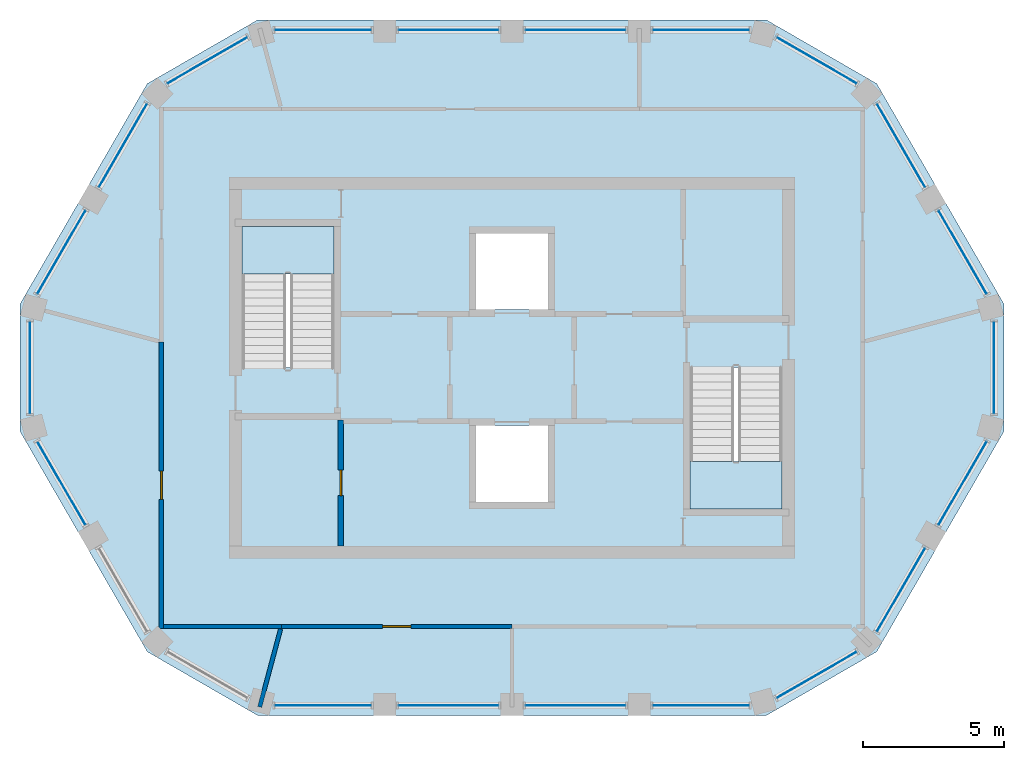
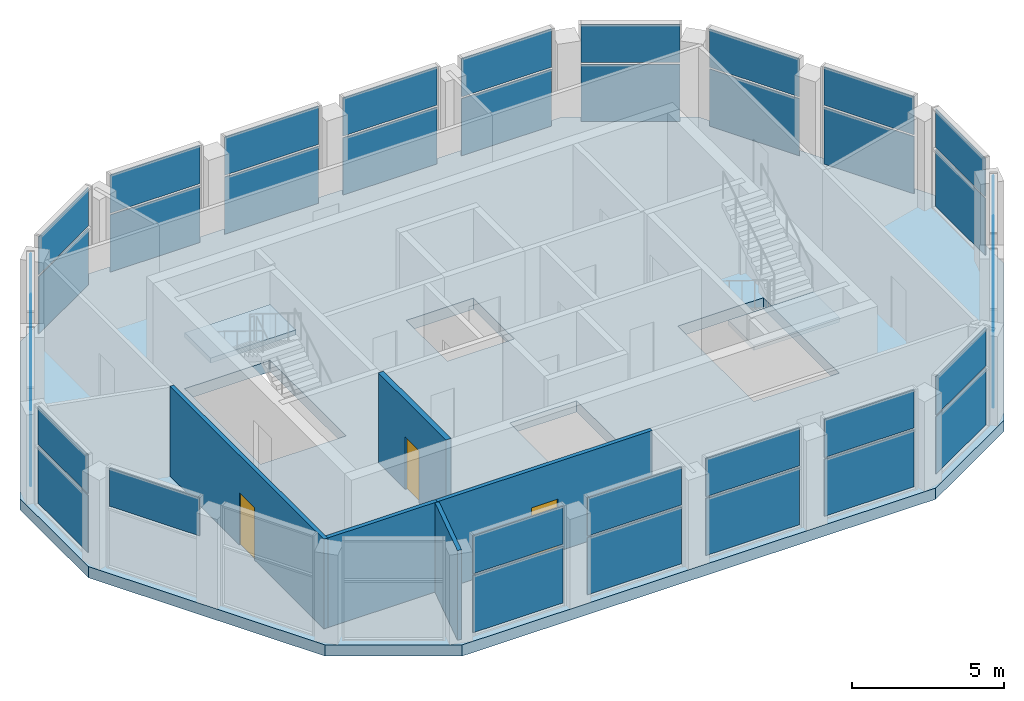
# One storey, part 3 of 6: 39 plates, 5 walls, 3 doors, 3 slabs, 3 openings, 22 elements without a shape of their own.
"""IFC4 building model written with IfcOpenShell, lengths in metres."""

from ifc_helpers import new_model, si_unit, direction, frame, frame_2d, origin, origin_2d, place, context, subcontext, project, spatial, polyline, rectangle, outline, extrude, material, layer, layer_set, type_object, element, fill, aggregate, save


model = new_model("IFC4")

# Units and contexts
model_context = context("Model", 3, precision=1e-05, world=origin(), true_north=direction((0.0, 1.0)))
body_context = subcontext(model_context, "Body", "Model", "MODEL_VIEW")
ifc_project = project(units=[si_unit("LENGTHUNIT", "METRE"), si_unit("AREAUNIT", "SQUARE_METRE"), si_unit("VOLUMEUNIT", "CUBIC_METRE"), si_unit("PLANEANGLEUNIT", "RADIAN"), si_unit("MASSUNIT", "GRAM", prefix="KILO")], contexts=[model_context])

# Site, building, storey
site_placement = place(None, origin())
site = spatial("IfcSite", under=ifc_project, at=site_placement, CompositionType="ELEMENT")
building_placement = place(site_placement, origin())
building = spatial("IfcBuilding", under=site, at=building_placement, Name="Dhurran Vertical Campus", CompositionType="ELEMENT")
storey_placement = place(building_placement, frame((0.0, 0.0, 327.89990234375)))
storey = spatial("IfcBuildingStorey", under=building, at=storey_placement, Name="L80 Plant", CompositionType="ELEMENT", Elevation=327.89990234375)

# Curtain wall, plates
ifc_material_1 = material(Name="Aluminium frame with solar-control glass", Category="aluminium")
ifc_layer_1 = layer(ifc_material_1, 0.260009765625)
ifc_layer_set_1 = layer_set([ifc_layer_1], Name="Aluminium frame with solar-control glass")
curtain_wall_type = type_object("IfcCurtainWallType", Name="Crown lantern glazing system", PredefinedType="NOTDEFINED", material=ifc_layer_set_1)
curtain_wall_1_placement = place(storey_placement, origin())
curtain_wall_1 = element("IfcCurtainWall", 1, at=curtain_wall_1_placement, inside=storey, type_object=curtain_wall_type, Name="CW6 L80.00", PredefinedType="NOTDEFINED")
ifc_material_2 = material(Name="Clear solar-control glass", Category="glass")
ifc_layer_2 = layer(ifc_material_2, 0.028076171875)
ifc_layer_set_2 = layer_set([ifc_layer_2], Name="Clear solar-control glass")
plate_type = type_object("IfcPlateType", Name="Crown lantern glazing system panel", PredefinedType="CURTAIN_PANEL", material=ifc_layer_set_2)
plate_1_placement = place(storey_placement, frame((-6.676025390625, -11.944091796875, 0.070068359375), z_axis=(0.0, 0.0, 1.0), x_axis=(1.0, 0.0, 0.0)))
plate_1 = element("IfcPlate", 2, at=plate_1_placement, type_object=plate_type, Name="CW6 panel 1.1", PredefinedType="CURTAIN_PANEL", context=body_context, shape_type="SweptSolid", body=[
    extrude(rectangle(XDim=3.4111328125, YDim=0.028076171875, at=origin_2d()), origin(), (0.0, 0.0, 1.0), 2.294921875),
])
plate_2_placement = place(storey_placement, frame((-6.676025390625, -11.944091796875, 2.43505859375), z_axis=(0.0, 0.0, 1.0), x_axis=(1.0, 0.0, 0.0)))
plate_2 = element("IfcPlate", 3, at=plate_2_placement, type_object=plate_type, Name="CW6 panel 1.2", PredefinedType="CURTAIN_PANEL", context=body_context, shape_type="SweptSolid", body=[
    extrude(rectangle(XDim=3.4111328125, YDim=0.028076171875, at=origin_2d()), origin(), (0.0, 0.0, 1.0), 1.544921875),
])
aggregate(curtain_wall_1, [plate_1, plate_2])

curtain_wall_2_placement = place(storey_placement, origin())
curtain_wall_2 = element("IfcCurtainWall", 4, at=curtain_wall_2_placement, inside=storey, type_object=curtain_wall_type, Name="CW6 L80.01", PredefinedType="NOTDEFINED")
plate_3_placement = place(storey_placement, frame((-2.25, -11.944091796875, 0.070068359375), z_axis=(0.0, 0.0, 1.0), x_axis=(1.0, 0.0, 0.0)))
plate_3 = element("IfcPlate", 5, at=plate_3_placement, type_object=plate_type, Name="CW6 panel 1.1", PredefinedType="CURTAIN_PANEL", context=body_context, shape_type="SweptSolid", body=[
    extrude(rectangle(XDim=3.55908203125, YDim=0.028076171875, at=origin_2d()), origin(), (0.0, 0.0, 1.0), 2.294921875),
])
plate_4_placement = place(storey_placement, frame((-2.25, -11.944091796875, 2.43505859375), z_axis=(0.0, 0.0, 1.0), x_axis=(1.0, 0.0, 0.0)))
plate_4 = element("IfcPlate", 6, at=plate_4_placement, type_object=plate_type, Name="CW6 panel 1.2", PredefinedType="CURTAIN_PANEL", context=body_context, shape_type="SweptSolid", body=[
    extrude(rectangle(XDim=3.55908203125, YDim=0.028076171875, at=origin_2d()), origin(), (0.0, 0.0, 1.0), 1.544921875),
])
aggregate(curtain_wall_2, [plate_3, plate_4])

curtain_wall_3_placement = place(storey_placement, origin())
curtain_wall_3 = element("IfcCurtainWall", 7, at=curtain_wall_3_placement, inside=storey, type_object=curtain_wall_type, Name="CW6 L80.02", PredefinedType="NOTDEFINED")
plate_5_placement = place(storey_placement, frame((2.25, -11.944091796875, 0.070068359375), z_axis=(0.0, 0.0, 1.0), x_axis=(1.0, 0.0, 0.0)))
plate_5 = element("IfcPlate", 8, at=plate_5_placement, type_object=plate_type, Name="CW6 panel 1.1", PredefinedType="CURTAIN_PANEL", context=body_context, shape_type="SweptSolid", body=[
    extrude(rectangle(XDim=3.55908203125, YDim=0.028076171875, at=origin_2d()), origin(), (0.0, 0.0, 1.0), 2.294921875),
])
plate_6_placement = place(storey_placement, frame((2.25, -11.944091796875, 2.43505859375), z_axis=(0.0, 0.0, 1.0), x_axis=(1.0, 0.0, 0.0)))
plate_6 = element("IfcPlate", 9, at=plate_6_placement, type_object=plate_type, Name="CW6 panel 1.2", PredefinedType="CURTAIN_PANEL", context=body_context, shape_type="SweptSolid", body=[
    extrude(rectangle(XDim=3.55908203125, YDim=0.028076171875, at=origin_2d()), origin(), (0.0, 0.0, 1.0), 1.544921875),
])
aggregate(curtain_wall_3, [plate_5, plate_6])

curtain_wall_4_placement = place(storey_placement, origin())
curtain_wall_4 = element("IfcCurtainWall", 10, at=curtain_wall_4_placement, inside=storey, type_object=curtain_wall_type, Name="CW6 L80.03", PredefinedType="NOTDEFINED")
plate_7_placement = place(storey_placement, frame((6.676025390625, -11.944091796875, 0.070068359375), z_axis=(0.0, 0.0, 1.0), x_axis=(1.0, 0.0, 0.0)))
plate_7 = element("IfcPlate", 11, at=plate_7_placement, type_object=plate_type, Name="CW6 panel 1.1", PredefinedType="CURTAIN_PANEL", context=body_context, shape_type="SweptSolid", body=[
    extrude(rectangle(XDim=3.4111328125, YDim=0.028076171875, at=origin_2d()), origin(), (0.0, 0.0, 1.0), 2.294921875),
])
plate_8_placement = place(storey_placement, frame((6.676025390625, -11.944091796875, 2.43505859375), z_axis=(0.0, 0.0, 1.0), x_axis=(1.0, 0.0, 0.0)))
plate_8 = element("IfcPlate", 12, at=plate_8_placement, type_object=plate_type, Name="CW6 panel 1.2", PredefinedType="CURTAIN_PANEL", context=body_context, shape_type="SweptSolid", body=[
    extrude(rectangle(XDim=3.4111328125, YDim=0.028076171875, at=origin_2d()), origin(), (0.0, 0.0, 1.0), 1.544921875),
])
aggregate(curtain_wall_4, [plate_7, plate_8])

curtain_wall_5_placement = place(storey_placement, origin())
curtain_wall_5 = element("IfcCurtainWall", 13, at=curtain_wall_5_placement, inside=storey, type_object=curtain_wall_type, Name="CW6 L80.04", PredefinedType="NOTDEFINED")
plate_9_placement = place(storey_placement, frame((10.7734375, -10.8662109375, 0.070068359375), z_axis=(0.0, 0.0, 1.0), x_axis=(0.866030482447, 0.499991203395, 0.0)))
plate_9 = element("IfcPlate", 14, at=plate_9_placement, type_object=plate_type, Name="CW6 panel 1.1", PredefinedType="CURTAIN_PANEL", context=body_context, shape_type="SweptSolid", body=[
    extrude(rectangle(XDim=3.263427734375, YDim=0.028076171875, at=origin_2d()), origin(), (0.0, 0.0, 1.0), 2.294921875),
])
plate_10_placement = place(storey_placement, frame((10.7734375, -10.8662109375, 2.43505859375), z_axis=(0.0, 0.0, 1.0), x_axis=(0.866030482447, 0.499991203395, 0.0)))
plate_10 = element("IfcPlate", 15, at=plate_10_placement, type_object=plate_type, Name="CW6 panel 1.2", PredefinedType="CURTAIN_PANEL", context=body_context, shape_type="SweptSolid", body=[
    extrude(rectangle(XDim=3.263427734375, YDim=0.028076171875, at=origin_2d()), origin(), (0.0, 0.0, 1.0), 1.544921875),
])
aggregate(curtain_wall_5, [plate_9, plate_10])

curtain_wall_6_placement = place(storey_placement, origin())
curtain_wall_6 = element("IfcCurtainWall", 16, at=curtain_wall_6_placement, inside=storey, type_object=curtain_wall_type, Name="CW6 L80.05", PredefinedType="NOTDEFINED")
plate_11_placement = place(storey_placement, frame((13.756103515625, -7.856689453125, 0.070068359375), z_axis=(0.0, 0.0, 1.0), x_axis=(0.500015780395, 0.866016292778, 0.0)))
plate_11 = element("IfcPlate", 17, at=plate_11_placement, type_object=plate_type, Name="CW6 panel 1.1", PredefinedType="CURTAIN_PANEL", context=body_context, shape_type="SweptSolid", body=[
    extrude(rectangle(XDim=3.4111328125, YDim=0.028076171875, at=origin_2d()), origin(), (0.0, 0.0, 1.0), 2.294921875),
])
plate_12_placement = place(storey_placement, frame((13.756103515625, -7.856689453125, 2.43505859375), z_axis=(0.0, 0.0, 1.0), x_axis=(0.500015780395, 0.866016292778, 0.0)))
plate_12 = element("IfcPlate", 18, at=plate_12_placement, type_object=plate_type, Name="CW6 panel 1.2", PredefinedType="CURTAIN_PANEL", context=body_context, shape_type="SweptSolid", body=[
    extrude(rectangle(XDim=3.4111328125, YDim=0.028076171875, at=origin_2d()), origin(), (0.0, 0.0, 1.0), 1.544921875),
])
aggregate(curtain_wall_6, [plate_11, plate_12])

curtain_wall_7_placement = place(storey_placement, origin())
curtain_wall_7 = element("IfcCurtainWall", 19, at=curtain_wall_7_placement, inside=storey, type_object=curtain_wall_type, Name="CW6 L80.06", PredefinedType="NOTDEFINED")
plate_13_placement = place(storey_placement, frame((15.93212890625, -4.087646484375, 0.070068359375), z_axis=(0.0, 0.0, 1.0), x_axis=(0.499991393271, 0.866030372825, 0.0)))
plate_13 = element("IfcPlate", 20, at=plate_13_placement, type_object=plate_type, Name="CW6 panel 1.1", PredefinedType="CURTAIN_PANEL", context=body_context, shape_type="SweptSolid", body=[
    extrude(rectangle(XDim=3.411376953125, YDim=0.028076171875, at=origin_2d()), origin(), (0.0, 0.0, 1.0), 2.294921875),
])
plate_14_placement = place(storey_placement, frame((15.93212890625, -4.087646484375, 2.43505859375), z_axis=(0.0, 0.0, 1.0), x_axis=(0.499991393271, 0.866030372825, 0.0)))
plate_14 = element("IfcPlate", 21, at=plate_14_placement, type_object=plate_type, Name="CW6 panel 1.2", PredefinedType="CURTAIN_PANEL", context=body_context, shape_type="SweptSolid", body=[
    extrude(rectangle(XDim=3.411376953125, YDim=0.028076171875, at=origin_2d()), origin(), (0.0, 0.0, 1.0), 1.544921875),
])
aggregate(curtain_wall_7, [plate_13, plate_14])

curtain_wall_8_placement = place(storey_placement, origin())
curtain_wall_8 = element("IfcCurtainWall", 22, at=curtain_wall_8_placement, inside=storey, type_object=curtain_wall_type, Name="CW6 L80.07", PredefinedType="NOTDEFINED")
plate_15_placement = place(storey_placement, frame((17.047119140625, 0.0, 0.070068359375), z_axis=(0.0, 0.0, 1.0), x_axis=(0.0, 1.0, 0.0)))
plate_15 = element("IfcPlate", 23, at=plate_15_placement, type_object=plate_type, Name="CW6 panel 1.1", PredefinedType="CURTAIN_PANEL", context=body_context, shape_type="SweptSolid", body=[
    extrude(rectangle(XDim=3.26318359375, YDim=0.028076171875, at=origin_2d()), origin(), (0.0, 0.0, 1.0), 2.294921875),
])
plate_16_placement = place(storey_placement, frame((17.047119140625, 0.0, 2.43505859375), z_axis=(0.0, 0.0, 1.0), x_axis=(0.0, 1.0, 0.0)))
plate_16 = element("IfcPlate", 24, at=plate_16_placement, type_object=plate_type, Name="CW6 panel 1.2", PredefinedType="CURTAIN_PANEL", context=body_context, shape_type="SweptSolid", body=[
    extrude(rectangle(XDim=3.26318359375, YDim=0.028076171875, at=origin_2d()), origin(), (0.0, 0.0, 1.0), 1.544921875),
])
aggregate(curtain_wall_8, [plate_15, plate_16])

curtain_wall_9_placement = place(storey_placement, origin())
curtain_wall_9 = element("IfcCurtainWall", 25, at=curtain_wall_9_placement, inside=storey, type_object=curtain_wall_type, Name="CW6 L80.08", PredefinedType="NOTDEFINED")
plate_17_placement = place(storey_placement, frame((15.93212890625, 4.087646484375, 0.070068359375), z_axis=(0.0, 0.0, 1.0), x_axis=(-0.499991393271, 0.866030372825, 0.0)))
plate_17 = element("IfcPlate", 26, at=plate_17_placement, type_object=plate_type, Name="CW6 panel 1.1", PredefinedType="CURTAIN_PANEL", context=body_context, shape_type="SweptSolid", body=[
    extrude(rectangle(XDim=3.411376953125, YDim=0.028076171875, at=origin_2d()), origin(), (0.0, 0.0, 1.0), 2.294921875),
])
plate_18_placement = place(storey_placement, frame((15.93212890625, 4.087646484375, 2.43505859375), z_axis=(0.0, 0.0, 1.0), x_axis=(-0.499991393271, 0.866030372825, 0.0)))
plate_18 = element("IfcPlate", 27, at=plate_18_placement, type_object=plate_type, Name="CW6 panel 1.2", PredefinedType="CURTAIN_PANEL", context=body_context, shape_type="SweptSolid", body=[
    extrude(rectangle(XDim=3.411376953125, YDim=0.028076171875, at=origin_2d()), origin(), (0.0, 0.0, 1.0), 1.544921875),
])
aggregate(curtain_wall_9, [plate_17, plate_18])

curtain_wall_10_placement = place(storey_placement, origin())
curtain_wall_10 = element("IfcCurtainWall", 28, at=curtain_wall_10_placement, inside=storey, type_object=curtain_wall_type, Name="CW6 L80.09", PredefinedType="NOTDEFINED")
plate_19_placement = place(storey_placement, frame((13.756103515625, 7.856689453125, 0.070068359375), z_axis=(0.0, 0.0, 1.0), x_axis=(-0.500015780395, 0.866016292778, 0.0)))
plate_19 = element("IfcPlate", 29, at=plate_19_placement, type_object=plate_type, Name="CW6 panel 1.1", PredefinedType="CURTAIN_PANEL", context=body_context, shape_type="SweptSolid", body=[
    extrude(rectangle(XDim=3.4111328125, YDim=0.028076171875, at=origin_2d()), origin(), (0.0, 0.0, 1.0), 2.294921875),
])
plate_20_placement = place(storey_placement, frame((13.756103515625, 7.856689453125, 2.43505859375), z_axis=(0.0, 0.0, 1.0), x_axis=(-0.500015780395, 0.866016292778, 0.0)))
plate_20 = element("IfcPlate", 30, at=plate_20_placement, type_object=plate_type, Name="CW6 panel 1.2", PredefinedType="CURTAIN_PANEL", context=body_context, shape_type="SweptSolid", body=[
    extrude(rectangle(XDim=3.4111328125, YDim=0.028076171875, at=origin_2d()), origin(), (0.0, 0.0, 1.0), 1.544921875),
])
aggregate(curtain_wall_10, [plate_19, plate_20])

curtain_wall_11_placement = place(storey_placement, origin())
curtain_wall_11 = element("IfcCurtainWall", 31, at=curtain_wall_11_placement, inside=storey, type_object=curtain_wall_type, Name="CW6 L80.10", PredefinedType="NOTDEFINED")
plate_21_placement = place(storey_placement, frame((10.7734375, 10.8662109375, 0.070068359375), z_axis=(0.0, 0.0, 1.0), x_axis=(-0.866030482447, 0.499991203395, 0.0)))
plate_21 = element("IfcPlate", 32, at=plate_21_placement, type_object=plate_type, Name="CW6 panel 1.1", PredefinedType="CURTAIN_PANEL", context=body_context, shape_type="SweptSolid", body=[
    extrude(rectangle(XDim=3.263427734375, YDim=0.028076171875, at=origin_2d()), origin(), (0.0, 0.0, 1.0), 2.294921875),
])
plate_22_placement = place(storey_placement, frame((10.7734375, 10.8662109375, 2.43505859375), z_axis=(0.0, 0.0, 1.0), x_axis=(-0.866030482447, 0.499991203395, 0.0)))
plate_22 = element("IfcPlate", 33, at=plate_22_placement, type_object=plate_type, Name="CW6 panel 1.2", PredefinedType="CURTAIN_PANEL", context=body_context, shape_type="SweptSolid", body=[
    extrude(rectangle(XDim=3.263427734375, YDim=0.028076171875, at=origin_2d()), origin(), (0.0, 0.0, 1.0), 1.544921875),
])
aggregate(curtain_wall_11, [plate_21, plate_22])

curtain_wall_12_placement = place(storey_placement, origin())
curtain_wall_12 = element("IfcCurtainWall", 34, at=curtain_wall_12_placement, inside=storey, type_object=curtain_wall_type, Name="CW6 L80.11", PredefinedType="NOTDEFINED")
plate_23_placement = place(storey_placement, frame((6.676025390625, 11.944091796875, 0.070068359375), z_axis=(0.0, 0.0, 1.0), x_axis=(-1.0, 0.0, 0.0)))
plate_23 = element("IfcPlate", 35, at=plate_23_placement, type_object=plate_type, Name="CW6 panel 1.1", PredefinedType="CURTAIN_PANEL", context=body_context, shape_type="SweptSolid", body=[
    extrude(rectangle(XDim=3.4111328125, YDim=0.028076171875, at=origin_2d()), origin(), (0.0, 0.0, 1.0), 2.294921875),
])
plate_24_placement = place(storey_placement, frame((6.676025390625, 11.944091796875, 2.43505859375), z_axis=(0.0, 0.0, 1.0), x_axis=(-1.0, 0.0, 0.0)))
plate_24 = element("IfcPlate", 36, at=plate_24_placement, type_object=plate_type, Name="CW6 panel 1.2", PredefinedType="CURTAIN_PANEL", context=body_context, shape_type="SweptSolid", body=[
    extrude(rectangle(XDim=3.4111328125, YDim=0.028076171875, at=origin_2d()), origin(), (0.0, 0.0, 1.0), 1.544921875),
])
aggregate(curtain_wall_12, [plate_23, plate_24])

curtain_wall_13_placement = place(storey_placement, origin())
curtain_wall_13 = element("IfcCurtainWall", 37, at=curtain_wall_13_placement, inside=storey, type_object=curtain_wall_type, Name="CW6 L80.12", PredefinedType="NOTDEFINED")
plate_25_placement = place(storey_placement, frame((2.25, 11.944091796875, 0.070068359375), z_axis=(0.0, 0.0, 1.0), x_axis=(-1.0, 0.0, 0.0)))
plate_25 = element("IfcPlate", 38, at=plate_25_placement, type_object=plate_type, Name="CW6 panel 1.1", PredefinedType="CURTAIN_PANEL", context=body_context, shape_type="SweptSolid", body=[
    extrude(rectangle(XDim=3.55908203125, YDim=0.028076171875, at=origin_2d()), origin(), (0.0, 0.0, 1.0), 2.294921875),
])
plate_26_placement = place(storey_placement, frame((2.25, 11.944091796875, 2.43505859375), z_axis=(0.0, 0.0, 1.0), x_axis=(-1.0, 0.0, 0.0)))
plate_26 = element("IfcPlate", 39, at=plate_26_placement, type_object=plate_type, Name="CW6 panel 1.2", PredefinedType="CURTAIN_PANEL", context=body_context, shape_type="SweptSolid", body=[
    extrude(rectangle(XDim=3.55908203125, YDim=0.028076171875, at=origin_2d()), origin(), (0.0, 0.0, 1.0), 1.544921875),
])
aggregate(curtain_wall_13, [plate_25, plate_26])

curtain_wall_14_placement = place(storey_placement, origin())
curtain_wall_14 = element("IfcCurtainWall", 40, at=curtain_wall_14_placement, inside=storey, type_object=curtain_wall_type, Name="CW6 L80.13", PredefinedType="NOTDEFINED")
plate_27_placement = place(storey_placement, frame((-2.25, 11.944091796875, 0.070068359375), z_axis=(0.0, 0.0, 1.0), x_axis=(-1.0, 0.0, 0.0)))
plate_27 = element("IfcPlate", 41, at=plate_27_placement, type_object=plate_type, Name="CW6 panel 1.1", PredefinedType="CURTAIN_PANEL", context=body_context, shape_type="SweptSolid", body=[
    extrude(rectangle(XDim=3.55908203125, YDim=0.028076171875, at=origin_2d()), origin(), (0.0, 0.0, 1.0), 2.294921875),
])
plate_28_placement = place(storey_placement, frame((-2.25, 11.944091796875, 2.43505859375), z_axis=(0.0, 0.0, 1.0), x_axis=(-1.0, 0.0, 0.0)))
plate_28 = element("IfcPlate", 42, at=plate_28_placement, type_object=plate_type, Name="CW6 panel 1.2", PredefinedType="CURTAIN_PANEL", context=body_context, shape_type="SweptSolid", body=[
    extrude(rectangle(XDim=3.55908203125, YDim=0.028076171875, at=origin_2d()), origin(), (0.0, 0.0, 1.0), 1.544921875),
])
aggregate(curtain_wall_14, [plate_27, plate_28])

curtain_wall_15_placement = place(storey_placement, origin())
curtain_wall_15 = element("IfcCurtainWall", 43, at=curtain_wall_15_placement, inside=storey, type_object=curtain_wall_type, Name="CW6 L80.14", PredefinedType="NOTDEFINED")
plate_29_placement = place(storey_placement, frame((-6.676025390625, 11.944091796875, 0.070068359375), z_axis=(0.0, 0.0, 1.0), x_axis=(-1.0, 0.0, 0.0)))
plate_29 = element("IfcPlate", 44, at=plate_29_placement, type_object=plate_type, Name="CW6 panel 1.1", PredefinedType="CURTAIN_PANEL", context=body_context, shape_type="SweptSolid", body=[
    extrude(rectangle(XDim=3.4111328125, YDim=0.028076171875, at=origin_2d()), origin(), (0.0, 0.0, 1.0), 2.294921875),
])
plate_30_placement = place(storey_placement, frame((-6.676025390625, 11.944091796875, 2.43505859375), z_axis=(0.0, 0.0, 1.0), x_axis=(-1.0, 0.0, 0.0)))
plate_30 = element("IfcPlate", 45, at=plate_30_placement, type_object=plate_type, Name="CW6 panel 1.2", PredefinedType="CURTAIN_PANEL", context=body_context, shape_type="SweptSolid", body=[
    extrude(rectangle(XDim=3.4111328125, YDim=0.028076171875, at=origin_2d()), origin(), (0.0, 0.0, 1.0), 1.544921875),
])
aggregate(curtain_wall_15, [plate_29, plate_30])

curtain_wall_16_placement = place(storey_placement, origin())
curtain_wall_16 = element("IfcCurtainWall", 46, at=curtain_wall_16_placement, inside=storey, type_object=curtain_wall_type, Name="CW6 L80.15", PredefinedType="NOTDEFINED")
plate_31_placement = place(storey_placement, frame((-10.7734375, 10.8662109375, 0.070068359375), z_axis=(0.0, 0.0, 1.0), x_axis=(-0.866030482447, -0.499991203395, 0.0)))
plate_31 = element("IfcPlate", 47, at=plate_31_placement, type_object=plate_type, Name="CW6 panel 1.1", PredefinedType="CURTAIN_PANEL", context=body_context, shape_type="SweptSolid", body=[
    extrude(rectangle(XDim=3.263427734375, YDim=0.028076171875, at=origin_2d()), origin(), (0.0, 0.0, 1.0), 2.294921875),
])
plate_32_placement = place(storey_placement, frame((-10.7734375, 10.8662109375, 2.43505859375), z_axis=(0.0, 0.0, 1.0), x_axis=(-0.866030482447, -0.499991203395, 0.0)))
plate_32 = element("IfcPlate", 48, at=plate_32_placement, type_object=plate_type, Name="CW6 panel 1.2", PredefinedType="CURTAIN_PANEL", context=body_context, shape_type="SweptSolid", body=[
    extrude(rectangle(XDim=3.263427734375, YDim=0.028076171875, at=origin_2d()), origin(), (0.0, 0.0, 1.0), 1.544921875),
])
aggregate(curtain_wall_16, [plate_31, plate_32])

curtain_wall_17_placement = place(storey_placement, origin())
curtain_wall_17 = element("IfcCurtainWall", 49, at=curtain_wall_17_placement, inside=storey, type_object=curtain_wall_type, Name="CW6 L80.16", PredefinedType="NOTDEFINED")
plate_33_placement = place(storey_placement, frame((-13.756103515625, 7.856689453125, 0.070068359375), z_axis=(0.0, 0.0, 1.0), x_axis=(-0.500015780395, -0.866016292778, 0.0)))
plate_33 = element("IfcPlate", 50, at=plate_33_placement, type_object=plate_type, Name="CW6 panel 1.1", PredefinedType="CURTAIN_PANEL", context=body_context, shape_type="SweptSolid", body=[
    extrude(rectangle(XDim=3.4111328125, YDim=0.028076171875, at=origin_2d()), origin(), (0.0, 0.0, 1.0), 2.294921875),
])
plate_34_placement = place(storey_placement, frame((-13.756103515625, 7.856689453125, 2.43505859375), z_axis=(0.0, 0.0, 1.0), x_axis=(-0.500015780395, -0.866016292778, 0.0)))
plate_34 = element("IfcPlate", 51, at=plate_34_placement, type_object=plate_type, Name="CW6 panel 1.2", PredefinedType="CURTAIN_PANEL", context=body_context, shape_type="SweptSolid", body=[
    extrude(rectangle(XDim=3.4111328125, YDim=0.028076171875, at=origin_2d()), origin(), (0.0, 0.0, 1.0), 1.544921875),
])
aggregate(curtain_wall_17, [plate_33, plate_34])

curtain_wall_18_placement = place(storey_placement, origin())
curtain_wall_18 = element("IfcCurtainWall", 52, at=curtain_wall_18_placement, inside=storey, type_object=curtain_wall_type, Name="CW6 L80.17", PredefinedType="NOTDEFINED")
plate_35_placement = place(storey_placement, frame((-15.93212890625, 4.087646484375, 0.070068359375), z_axis=(0.0, 0.0, 1.0), x_axis=(-0.499991393271, -0.866030372825, 0.0)))
plate_35 = element("IfcPlate", 53, at=plate_35_placement, type_object=plate_type, Name="CW6 panel 1.1", PredefinedType="CURTAIN_PANEL", context=body_context, shape_type="SweptSolid", body=[
    extrude(rectangle(XDim=3.411376953125, YDim=0.028076171875, at=origin_2d()), origin(), (0.0, 0.0, 1.0), 2.294921875),
])
plate_36_placement = place(storey_placement, frame((-15.93212890625, 4.087646484375, 2.43505859375), z_axis=(0.0, 0.0, 1.0), x_axis=(-0.499991393271, -0.866030372825, 0.0)))
plate_36 = element("IfcPlate", 54, at=plate_36_placement, type_object=plate_type, Name="CW6 panel 1.2", PredefinedType="CURTAIN_PANEL", context=body_context, shape_type="SweptSolid", body=[
    extrude(rectangle(XDim=3.411376953125, YDim=0.028076171875, at=origin_2d()), origin(), (0.0, 0.0, 1.0), 1.544921875),
])
aggregate(curtain_wall_18, [plate_35, plate_36])

curtain_wall_19_placement = place(storey_placement, origin())
curtain_wall_19 = element("IfcCurtainWall", 55, at=curtain_wall_19_placement, inside=storey, type_object=curtain_wall_type, Name="CW6 L80.18", PredefinedType="NOTDEFINED")
plate_37_placement = place(storey_placement, frame((-17.047119140625, 0.0, 0.070068359375), z_axis=(0.0, 0.0, 1.0), x_axis=(0.0, -1.0, 0.0)))
plate_37 = element("IfcPlate", 56, at=plate_37_placement, type_object=plate_type, Name="CW6 panel 1.1", PredefinedType="CURTAIN_PANEL", context=body_context, shape_type="SweptSolid", body=[
    extrude(rectangle(XDim=3.26318359375, YDim=0.028076171875, at=origin_2d()), origin(), (0.0, 0.0, 1.0), 2.294921875),
])
plate_38_placement = place(storey_placement, frame((-17.047119140625, 0.0, 2.43505859375), z_axis=(0.0, 0.0, 1.0), x_axis=(0.0, -1.0, 0.0)))
plate_38 = element("IfcPlate", 57, at=plate_38_placement, type_object=plate_type, Name="CW6 panel 1.2", PredefinedType="CURTAIN_PANEL", context=body_context, shape_type="SweptSolid", body=[
    extrude(rectangle(XDim=3.26318359375, YDim=0.028076171875, at=origin_2d()), origin(), (0.0, 0.0, 1.0), 1.544921875),
])
aggregate(curtain_wall_19, [plate_37, plate_38])

# Curtain wall, plate
curtain_wall_20_placement = place(storey_placement, origin())
curtain_wall_20 = element("IfcCurtainWall", 58, at=curtain_wall_20_placement, inside=storey, type_object=curtain_wall_type, Name="CW6 L80.19", PredefinedType="NOTDEFINED")
plate_39_placement = place(storey_placement, frame((-15.93212890625, -4.087646484375, 2.43505859375), z_axis=(0.0, 0.0, 1.0), x_axis=(0.499991393271, -0.866030372825, 0.0)))
plate_39 = element("IfcPlate", 59, at=plate_39_placement, type_object=plate_type, Name="CW6 panel 1.2", PredefinedType="CURTAIN_PANEL", context=body_context, shape_type="SweptSolid", body=[
    extrude(rectangle(XDim=3.411376953125, YDim=0.028076171875, at=origin_2d()), origin(), (0.0, 0.0, 1.0), 1.544921875),
])
aggregate(curtain_wall_20, [plate_39])

# Stair, slab
ifc_material_3 = material(Name="Concrete C40/50", Category="concrete")
stair_type = type_object("IfcStairType", Name="co-ST-CORE", PredefinedType="HALF_TURN_STAIR", material=ifc_material_3)
stair_1_placement = place(storey_placement, origin())
stair_1 = element("IfcStair", 60, at=stair_1_placement, inside=storey, type_object=stair_type, Name="L80 Plant Protected exit stair ST5", PredefinedType="HALF_TURN_STAIR")
ifc_material_4 = material(Name="Concrete C40/50", Category="concrete")
ifc_layer_3 = layer(ifc_material_4, 0.199951171875)
ifc_layer_set_3 = layer_set([ifc_layer_3], Name="Concrete C40/50")
slab_type_1 = type_object("IfcSlabType", Name="co-SL-LANDING", PredefinedType="LANDING", material=ifc_layer_set_3)
slab_1_placement = place(storey_placement, frame((0.0, 0.0, 2.050048828125)))
slab_1 = element("IfcSlab", 61, at=slab_1_placement, type_object=slab_type_1, Name="ST5 landing 1", PredefinedType="LANDING", context=body_context, shape_type="SweptSolid", body=[
    extrude(outline(polyline([(-6.300048828125, 3.31005859375), (-6.300048828125, 5.0), (-9.550048828125, 5.0), (-9.550048828125, 3.31005859375), (-6.300048828125, 3.31005859375)])), origin(), (0.0, 0.0, 1.0), 0.199951171875),
])
aggregate(stair_1, [slab_1])

stair_2_placement = place(storey_placement, origin())
stair_2 = element("IfcStair", 62, at=stair_2_placement, inside=storey, type_object=stair_type, Name="L80 Plant Protected exit stair ST6", PredefinedType="HALF_TURN_STAIR")
slab_2_placement = place(storey_placement, frame((0.0, 0.0, 2.050048828125)))
slab_2 = element("IfcSlab", 63, at=slab_2_placement, type_object=slab_type_1, Name="ST6 landing 1", PredefinedType="LANDING", context=body_context, shape_type="SweptSolid", body=[
    extrude(outline(polyline([(6.300048828125, -3.31005859375), (6.300048828125, -5.0), (9.550048828125, -5.0), (9.550048828125, -3.31005859375), (6.300048828125, -3.31005859375)])), origin(), (0.0, 0.0, 1.0), 0.199951171875),
])
aggregate(stair_2, [slab_2])

# Slab
ifc_material_5 = material(Name="Concrete C40/50", Category="concrete")
ifc_layer_4 = layer(ifc_material_5, 0.449951171875)
ifc_layer_set_4 = layer_set([ifc_layer_4], Name="Concrete C40/50")
slab_type_2 = type_object("IfcSlabType", Name="cr/slab/floor", PredefinedType="FLOOR", material=ifc_layer_set_4)
slab_3_placement = place(storey_placement, frame((0.0, 0.0, -0.449951171875)))
element("IfcSlab", 64, at=slab_3_placement, inside=storey, type_object=slab_type_2, Name="Crown slab L80", PredefinedType="FLOOR", context=body_context, shape_type="SweptSolid", body=[
    extrude(outline(polyline([(-9.0, -12.2939453125), (9.0, -12.2939453125), (12.89697265625, -10.0439453125), (17.39697265625, -2.25), (17.39697265625, 2.25), (12.89697265625, 10.0439453125), (9.0, 12.2939453125), (-9.0, 12.2939453125), (-12.89697265625, 10.0439453125), (-17.39697265625, 2.25), (-17.39697265625, -2.25), (-12.89697265625, -10.0439453125), (-9.0, -12.2939453125)]), holes=[polyline([(-1.27490234375, 4.75), (1.27490234375, 4.75), (1.27490234375, 2.050048828125), (-1.27490234375, 2.050048828125), (-1.27490234375, 4.75)]), polyline([(-1.27490234375, -2.050048828125), (1.27490234375, -2.050048828125), (1.27490234375, -4.75), (-1.27490234375, -4.75), (-1.27490234375, -2.050048828125)]), polyline([(-9.550048828125, 5.0), (-6.300048828125, 5.0), (-6.300048828125, 0.0), (-9.550048828125, 0.0), (-9.550048828125, 5.0)]), polyline([(6.300048828125, 0.0), (9.550048828125, 0.0), (9.550048828125, -5.0), (6.300048828125, -5.0), (6.300048828125, 0.0)])]), origin(), (0.0, 0.0, 1.0), 0.449951171875),
])

# Wall, opening, door
ifc_material_6 = material(Name="Fire-rated masonry blockwork", Category="masonry")
ifc_layer_5 = layer(ifc_material_6, 0.199951171875)
ifc_layer_set_5 = layer_set([ifc_layer_5], Name="Fire-rated masonry blockwork")
wall_type_1 = type_object("IfcWallType", Name="co-FIRE-PARTITION-200", PredefinedType="PARTITIONING", material=ifc_layer_set_5)
wall_1_placement = place(storey_placement, frame((-6.050048828125, -6.300048828125, 0.0), z_axis=(0.0, 0.0, 1.0), x_axis=(0.0, 1.0, 0.0)))
wall_1 = element("IfcWall", 65, at=wall_1_placement, inside=storey, type_object=wall_type_1, Name="Core partition bws-d L80", PredefinedType="PARTITIONING", context=body_context, shape_type="SweptSolid", body=[
    extrude(rectangle(XDim=4.449951171875, YDim=0.199951171875, at=frame_2d((2.22509765625, 0.0))), origin(), (0.0, 0.0, 1.0), 3.60009765625),
])
opening_1_placement = place(wall_1_placement, frame((1.77490234375, 0.0, 0.0)))
opening_1 = element("IfcOpeningElement", 66, at=opening_1_placement, cuts=wall_1, Name="Opening CR80-C6", PredefinedType="OPENING", context=body_context, shape_type="SweptSolid", body=[
    extrude(rectangle(XDim=0.89990234375, YDim=2.10009765625, at=frame_2d((0.449951171875, 1.050048828125))), frame((0.0, 0.10986328125, 0.0), z_axis=(0.0, -1.0, 0.0), x_axis=(1.0, 0.0, 0.0)), (0.0, 0.0, 1.0), 0.219970703125),
])
ifc_material_7 = material(Name="Fire-rated timber door set", Category="wood")
door_type_1 = type_object("IfcDoorType", Name="co-D-ROOM 900x2100", OperationType="SINGLE_SWING_LEFT", PredefinedType="DOOR", material=ifc_material_7)
door_1_placement = place(opening_1_placement, origin())
door_1 = element("IfcDoor", 67, at=door_1_placement, inside=storey, type_object=door_type_1, Name="Plant room door L80", OperationType="SINGLE_SWING_LEFT", OverallHeight=2.10009765625, OverallWidth=0.89990234375, PredefinedType="DOOR", context=body_context, shape_type="SweptSolid", body=[
    extrude(rectangle(XDim=0.89990234375, YDim=2.10009765625, at=frame_2d((0.449951171875, 1.050048828125))), frame((0.0, 0.02490234375, 0.0), z_axis=(0.0, -1.0, 0.0), x_axis=(1.0, 0.0, 0.0)), (0.0, 0.0, 1.0), 0.050048828125),
])
fill(opening_1, door_1)

ifc_material_8 = material(Name="Gypsum board corridor wall on steel studs", Category="steel")
ifc_layer_6 = layer(ifc_material_8, 0.14990234375)
ifc_layer_set_6 = layer_set([ifc_layer_6], Name="Gypsum board corridor wall on steel studs")
wall_type_2 = type_object("IfcWallType", Name="fl-CW-150 corridor wall", PredefinedType="PARTITIONING", material=ifc_layer_set_6)
wall_2_placement = place(storey_placement, frame((-12.39990234375, 0.910888671875, 0.0), z_axis=(0.0, 0.0, 1.0), x_axis=(0.0, -1.0, 0.0)))
wall_2 = element("IfcWall", 68, at=wall_2_placement, inside=storey, type_object=wall_type_2, Name="Partition 80-02", PredefinedType="PARTITIONING", context=body_context, shape_type="SweptSolid", body=[
    extrude(rectangle(XDim=10.135986328125, YDim=0.14990234375, at=frame_2d((5.06787109375, 0.0))), origin(), (0.0, 0.0, 1.0), 3.60009765625),
])
opening_2_placement = place(wall_2_placement, frame((4.568115234375, 0.0, 0.0)))
opening_2 = element("IfcOpeningElement", 69, at=opening_2_placement, cuts=wall_2, Name="Opening CR80.01", PredefinedType="OPENING", context=body_context, shape_type="SweptSolid", body=[
    extrude(rectangle(XDim=1.0, YDim=2.10009765625, at=frame_2d((0.5, 1.050048828125))), frame((0.0, 0.0849609375, 0.0), z_axis=(0.0, -1.0, 0.0), x_axis=(1.0, 0.0, 0.0)), (0.0, 0.0, 1.0), 0.169921875),
])
ifc_material_9 = material(Name="Solid-core timber door set, fire-rated", Category="wood")
door_type_2 = type_object("IfcDoorType", Name="fl-D-1000x2100", OperationType="SINGLE_SWING_LEFT", PredefinedType="DOOR", material=ifc_material_9)
door_2_placement = place(opening_2_placement, origin())
door_2 = element("IfcDoor", 70, at=door_2_placement, inside=storey, type_object=door_type_2, Name="Door 80.01", OperationType="SINGLE_SWING_LEFT", OverallHeight=2.10009765625, OverallWidth=1.0, PredefinedType="DOOR", context=body_context, shape_type="SweptSolid", body=[
    extrude(rectangle(XDim=1.0, YDim=2.10009765625, at=frame_2d((0.5, 1.050048828125))), frame((0.0, 0.02490234375, 0.0), z_axis=(0.0, -1.0, 0.0), x_axis=(1.0, 0.0, 0.0)), (0.0, 0.0, 1.0), 0.050048828125),
])
fill(opening_2, door_2)

# Wall
wall_3_placement = place(storey_placement, frame((-12.324951171875, -9.14990234375, 0.0), z_axis=(0.0, 0.0, 1.0), x_axis=(1.0, 0.0, 0.0)))
element("IfcWall", 71, at=wall_3_placement, inside=storey, type_object=wall_type_2, Name="Partition 80-03", PredefinedType="PARTITIONING", context=body_context, shape_type="SweptSolid", body=[
    extrude(rectangle(XDim=4.1669921875, YDim=0.14990234375, at=frame_2d((2.08349609375, 0.0))), origin(), (0.0, 0.0, 1.0), 3.60009765625),
])

# Wall, opening, door
wall_4_placement = place(storey_placement, frame((-8.157958984375, -9.14990234375, 0.0), z_axis=(0.0, 0.0, 1.0), x_axis=(1.0, 0.0, 0.0)))
wall_4 = element("IfcWall", 72, at=wall_4_placement, inside=storey, type_object=wall_type_2, Name="Partition 80-08", PredefinedType="PARTITIONING", context=body_context, shape_type="SweptSolid", body=[
    extrude(rectangle(XDim=8.157958984375, YDim=0.14990234375, at=frame_2d((4.0791015625, 0.0))), origin(), (0.0, 0.0, 1.0), 3.60009765625),
])
opening_3_placement = place(wall_4_placement, frame((3.5791015625, 0.0, 0.0)))
opening_3 = element("IfcOpeningElement", 73, at=opening_3_placement, cuts=wall_4, Name="Opening CR80.03", PredefinedType="OPENING", context=body_context, shape_type="SweptSolid", body=[
    extrude(rectangle(XDim=1.0, YDim=2.10009765625, at=frame_2d((0.5, 1.050048828125))), frame((0.0, 0.0849609375, 0.0), z_axis=(0.0, -1.0, 0.0), x_axis=(1.0, 0.0, 0.0)), (0.0, 0.0, 1.0), 0.169921875),
])
door_3_placement = place(opening_3_placement, origin())
door_3 = element("IfcDoor", 74, at=door_3_placement, inside=storey, type_object=door_type_2, Name="Door 80.03", OperationType="SINGLE_SWING_RIGHT", OverallHeight=2.10009765625, OverallWidth=1.0, PredefinedType="DOOR", context=body_context, shape_type="SweptSolid", body=[
    extrude(rectangle(XDim=1.0, YDim=2.10009765625, at=frame_2d((0.5, 1.050048828125))), frame((0.0, 0.02490234375, 0.0), z_axis=(0.0, -1.0, 0.0), x_axis=(1.0, 0.0, 0.0)), (0.0, 0.0, 1.0), 0.050048828125),
])
fill(opening_3, door_3)

# Wall
ifc_material_10 = material(Name="Gypsum board partition on steel studs", Category="steel")
ifc_layer_7 = layer(ifc_material_10, 0.14990234375)
ifc_layer_set_7 = layer_set([ifc_layer_7], Name="Gypsum board partition on steel studs")
wall_type_3 = type_object("IfcWallType", Name="fl-PW-150 fixed partition", PredefinedType="PARTITIONING", material=ifc_layer_set_7)
wall_5_placement = place(storey_placement, frame((-8.1826171875, -9.24169921875, 0.0), z_axis=(0.0, 0.0, 1.0), x_axis=(-0.258771776933, -0.965938490517, 0.0)))
element("IfcWall", 75, at=wall_5_placement, inside=storey, type_object=wall_type_3, Name="Partition 80-06", PredefinedType="PARTITIONING", context=body_context, shape_type="SweptSolid", body=[
    extrude(rectangle(XDim=2.849365234375, YDim=0.14990234375, at=frame_2d((1.4248046875, 0.0))), origin(), (0.0, 0.0, 1.0), 3.60009765625),
])

save(model, "model.ifc")
